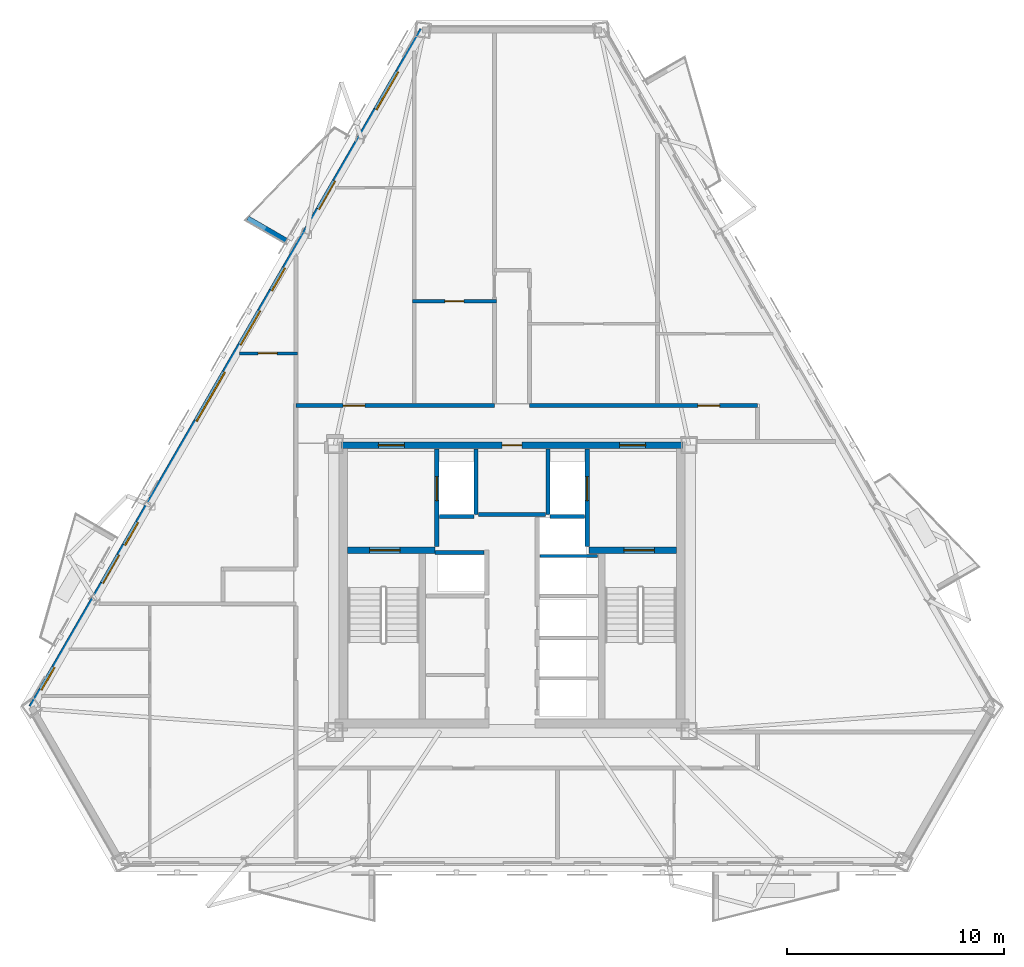
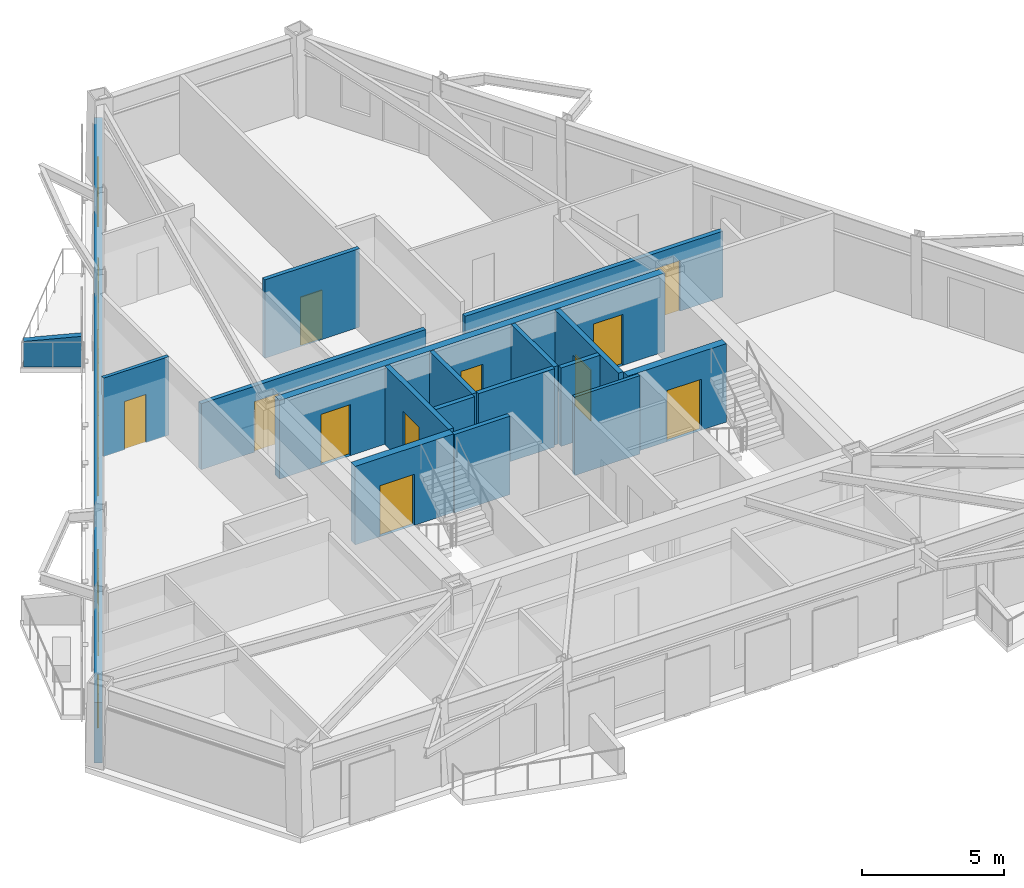
# One storey, part 4 of 9: 18 walls, 13 doors, 6 windows, 19 openings.
"""IFC4 building model written with IfcOpenShell, lengths in metres."""

from ifc_helpers import new_model, si_unit, direction, frame, frame_2d, origin, place, context, subcontext, project, spatial, polyline, rectangle, outline, extrude, material, layer, layer_set, type_object, element, fill, save


model = new_model("IFC4")

# Units and contexts
model_context = context("Model", 3, precision=1e-05, world=origin(), true_north=direction((0.0, 1.0)))
body_context = subcontext(model_context, "Body", "Model", "MODEL_VIEW")
ifc_project = project(units=[si_unit("LENGTHUNIT", "METRE"), si_unit("AREAUNIT", "SQUARE_METRE"), si_unit("VOLUMEUNIT", "CUBIC_METRE"), si_unit("PLANEANGLEUNIT", "RADIAN"), si_unit("MASSUNIT", "GRAM", prefix="KILO")], contexts=[model_context])

# Site, building, storey
site_placement = place(None, origin())
site = spatial("IfcSite", under=ifc_project, at=site_placement, CompositionType="ELEMENT")
building_placement = place(site_placement, origin())
building = spatial("IfcBuilding", under=site, at=building_placement, Name="Oramaril Tower", CompositionType="ELEMENT")
storey_placement = place(building_placement, frame((0.0, 0.0, 178.199951171875)))
storey = spatial("IfcBuildingStorey", under=building, at=storey_placement, Name="L47", CompositionType="ELEMENT", Elevation=178.199951171875)

# Wall, openings, doors, windows
ifc_material_1 = material(Name="Warm Cream Limestone", Category="masonry")
ifc_layer_1 = layer(ifc_material_1, 0.2900390625)
ifc_layer_set_1 = layer_set([ifc_layer_1], Name="WT-EXT29")
wall_type_1 = type_object("IfcWallType", Name="WT-EXT29", PredefinedType="SOLIDWALL", material=ifc_layer_set_1)
wall_1_placement = place(storey_placement, frame((33.383544921875, 43.256591796875, 0.0), z_axis=(0.0, 0.0, 1.0), x_axis=(-0.499997641637, -0.866026765382, 0.0)))
wall_1 = element("IfcWall", 1, at=wall_1_placement, inside=storey, type_object=wall_type_1, Name="L47 Tower Limestone Facade Wall 6M", PredefinedType="SOLIDWALL", context=body_context, shape_type="SweptSolid", body=[
    extrude(rectangle(XDim=35.991943359375, YDim=0.2900390625, at=frame_2d((17.99609375, 0.0))), origin(), (0.0, 0.0, 1.0), 2.60009765625),
])
opening_1_placement = place(wall_1_placement, frame((8.034423828125, 0.0, 0.0)))
opening_1 = element("IfcOpeningElement", 2, at=opening_1_placement, cuts=wall_1, Name="Opening D-L47-BAL-NW1", PredefinedType="OPENING", context=body_context, shape_type="SweptSolid", body=[
    extrude(rectangle(XDim=1.5, YDim=2.199951171875, at=frame_2d((0.75, 1.10009765625))), frame((0.0, 0.14501953125, 0.0), z_axis=(0.0, -1.0, 0.0), x_axis=(1.0, 0.0, 0.0)), (0.0, 0.0, 1.0), 0.2900390625),
])
opening_2_placement = place(wall_1_placement, frame((27.91259765625, 0.0, 0.0)))
opening_2 = element("IfcOpeningElement", 3, at=opening_2_placement, cuts=wall_1, Name="Opening D-L47-BAL-NW2", PredefinedType="OPENING", context=body_context, shape_type="SweptSolid", body=[
    extrude(rectangle(XDim=1.5, YDim=2.199951171875, at=frame_2d((0.75, 1.10009765625))), frame((0.0, 0.14501953125, 0.0), z_axis=(0.0, -1.0, 0.0), x_axis=(1.0, 0.0, 0.0)), (0.0, 0.0, 1.0), 0.2900390625),
])
opening_3_placement = place(wall_1_placement, frame((33.87451171875, 0.0, 0.85009765625)))
opening_3 = element("IfcOpeningElement", 4, at=opening_3_placement, cuts=wall_1, Name="Opening WN-09", PredefinedType="OPENING", context=body_context, shape_type="SweptSolid", body=[
    extrude(rectangle(XDim=1.199951171875, YDim=1.47998046875, at=frame_2d((0.60009765625, 0.739990234375))), frame((0.0, 0.14501953125, 0.0), z_axis=(0.0, -1.0, 0.0), x_axis=(1.0, 0.0, 0.0)), (0.0, 0.0, 1.0), 0.2900390625),
])
opening_4_placement = place(wall_1_placement, frame((18.19091796875, 0.0, 0.85009765625)))
opening_4 = element("IfcOpeningElement", 5, at=opening_4_placement, cuts=wall_1, Name="Opening WN-02", PredefinedType="OPENING", context=body_context, shape_type="SweptSolid", body=[
    extrude(rectangle(XDim=2.60009765625, YDim=1.639892578125, at=frame_2d((1.300048828125, 0.81982421875))), frame((0.0, 0.14501953125, 0.0), z_axis=(0.0, -1.0, 0.0), x_axis=(1.0, 0.0, 0.0)), (0.0, 0.0, 1.0), 0.2900390625),
])
opening_5_placement = place(wall_1_placement, frame((26.178466796875, 0.0, 0.85009765625)))
opening_5 = element("IfcOpeningElement", 6, at=opening_5_placement, cuts=wall_1, Name="Opening WN-09", PredefinedType="OPENING", context=body_context, shape_type="SweptSolid", body=[
    extrude(rectangle(XDim=1.199951171875, YDim=1.47998046875, at=frame_2d((0.60009765625, 0.739990234375))), frame((0.0, 0.14501953125, 0.0), z_axis=(0.0, -1.0, 0.0), x_axis=(1.0, 0.0, 0.0)), (0.0, 0.0, 1.0), 0.2900390625),
])
opening_6_placement = place(wall_1_placement, frame((12.6572265625, 0.0, 0.85009765625)))
opening_6 = element("IfcOpeningElement", 7, at=opening_6_placement, cuts=wall_1, Name="Opening WN-09", PredefinedType="OPENING", context=body_context, shape_type="SweptSolid", body=[
    extrude(rectangle(XDim=1.199951171875, YDim=1.47998046875, at=frame_2d((0.60009765625, 0.739990234375))), frame((0.0, 0.14501953125, 0.0), z_axis=(0.0, -1.0, 0.0), x_axis=(1.0, 0.0, 0.0)), (0.0, 0.0, 1.0), 0.2900390625),
])
opening_7_placement = place(wall_1_placement, frame((14.938720703125, 0.0, 0.85009765625)))
opening_7 = element("IfcOpeningElement", 8, at=opening_7_placement, cuts=wall_1, Name="Opening WN-06", PredefinedType="OPENING", context=body_context, shape_type="SweptSolid", body=[
    extrude(rectangle(XDim=1.800048828125, YDim=1.639892578125, at=frame_2d((0.89990234375, 0.81982421875))), frame((0.0, 0.14501953125, 0.0), z_axis=(0.0, -1.0, 0.0), x_axis=(1.0, 0.0, 0.0)), (0.0, 0.0, 1.0), 0.2900390625),
])
opening_8_placement = place(wall_1_placement, frame((2.236083984375, 0.0, 0.85009765625)))
opening_8 = element("IfcOpeningElement", 9, at=opening_8_placement, cuts=wall_1, Name="Opening WN-05", PredefinedType="OPENING", context=body_context, shape_type="SweptSolid", body=[
    extrude(rectangle(XDim=2.0, YDim=1.639892578125, at=frame_2d((1.0, 0.81982421875))), frame((0.0, 0.14501953125, 0.0), z_axis=(0.0, -1.0, 0.0), x_axis=(1.0, 0.0, 0.0)), (0.0, 0.0, 1.0), 0.2900390625),
])
ifc_material_2 = material(Name="Anodised Aluminium 6063-T6", Category="aluminium")
door_type_1 = type_object("IfcDoorType", Name="DT-BAL", OperationType="NOTDEFINED", PredefinedType="DOOR", material=ifc_material_2)
door_1_placement = place(opening_1_placement, origin())
door_1 = element("IfcDoor", 10, at=door_1_placement, inside=storey, type_object=door_type_1, Name="L47 Balcony Glazed Door L47-BAL-NW1", OperationType="SINGLE_SWING_RIGHT", OverallHeight=2.199951171875, OverallWidth=1.5, PredefinedType="DOOR", context=body_context, shape_type="SweptSolid", body=[
    extrude(rectangle(XDim=1.5, YDim=2.199951171875, at=frame_2d((0.75, 1.10009765625))), frame((0.0, 0.02490234375, 0.0), z_axis=(0.0, -1.0, 0.0), x_axis=(1.0, 0.0, 0.0)), (0.0, 0.0, 1.0), 0.050048828125),
])
fill(opening_1, door_1)
door_2_placement = place(opening_2_placement, origin())
door_2 = element("IfcDoor", 11, at=door_2_placement, inside=storey, type_object=door_type_1, Name="L47 Balcony Glazed Door L47-BAL-NW2", OperationType="SINGLE_SWING_LEFT", OverallHeight=2.199951171875, OverallWidth=1.5, PredefinedType="DOOR", context=body_context, shape_type="SweptSolid", body=[
    extrude(rectangle(XDim=1.5, YDim=2.199951171875, at=frame_2d((0.75, 1.10009765625))), frame((0.0, 0.02490234375, 0.0), z_axis=(0.0, -1.0, 0.0), x_axis=(1.0, 0.0, 0.0)), (0.0, 0.0, 1.0), 0.050048828125),
])
fill(opening_2, door_2)
ifc_material_3 = material(Name="Coastal Low-E Insulated Glass", Category="glass")
window_type_1 = type_object("IfcWindowType", Name="WNT-02", PartitioningType="SINGLE_PANEL", PredefinedType="WINDOW", material=ifc_material_3)
window_1_placement = place(opening_4_placement, origin())
window_1 = element("IfcWindow", 12, at=window_1_placement, inside=storey, type_object=window_type_1, Name="L47 Chicago Bay Window WN-02", OverallHeight=1.639892578125, OverallWidth=2.60009765625, PartitioningType="SINGLE_PANEL", PredefinedType="WINDOW", context=body_context, shape_type="SweptSolid", body=[
    extrude(rectangle(XDim=2.60009765625, YDim=1.639892578125, at=frame_2d((1.300048828125, 0.81982421875))), frame((0.0, 0.030029296875, 0.0), z_axis=(0.0, -1.0, 0.0), x_axis=(1.0, 0.0, 0.0)), (0.0, 0.0, 1.0), 0.06005859375),
])
fill(opening_4, window_1)
ifc_material_4 = material(Name="Coastal Low-E Insulated Glass", Category="glass")
window_type_2 = type_object("IfcWindowType", Name="WNT-05", PartitioningType="SINGLE_PANEL", PredefinedType="WINDOW", material=ifc_material_4)
window_2_placement = place(opening_8_placement, origin())
window_2 = element("IfcWindow", 13, at=window_2_placement, inside=storey, type_object=window_type_2, Name="L47 Chicago Bay Window WN-05", OverallHeight=1.639892578125, OverallWidth=2.0, PartitioningType="SINGLE_PANEL", PredefinedType="WINDOW", context=body_context, shape_type="SweptSolid", body=[
    extrude(rectangle(XDim=2.0, YDim=1.639892578125, at=frame_2d((1.0, 0.81982421875))), frame((0.0, 0.030029296875, 0.0), z_axis=(0.0, -1.0, 0.0), x_axis=(1.0, 0.0, 0.0)), (0.0, 0.0, 1.0), 0.06005859375),
])
fill(opening_8, window_2)
ifc_material_5 = material(Name="Coastal Low-E Insulated Glass", Category="glass")
window_type_3 = type_object("IfcWindowType", Name="WNT-06", PartitioningType="SINGLE_PANEL", PredefinedType="WINDOW", material=ifc_material_5)
window_3_placement = place(opening_7_placement, origin())
window_3 = element("IfcWindow", 14, at=window_3_placement, inside=storey, type_object=window_type_3, Name="L47 Chicago Bay Window WN-06", OverallHeight=1.639892578125, OverallWidth=1.800048828125, PartitioningType="SINGLE_PANEL", PredefinedType="WINDOW", context=body_context, shape_type="SweptSolid", body=[
    extrude(rectangle(XDim=1.800048828125, YDim=1.639892578125, at=frame_2d((0.89990234375, 0.81982421875))), frame((0.0, 0.030029296875, 0.0), z_axis=(0.0, -1.0, 0.0), x_axis=(1.0, 0.0, 0.0)), (0.0, 0.0, 1.0), 0.06005859375),
])
fill(opening_7, window_3)
ifc_material_6 = material(Name="Coastal Low-E Insulated Glass", Category="glass")
window_type_4 = type_object("IfcWindowType", Name="WNT-09", PartitioningType="SINGLE_PANEL", PredefinedType="WINDOW", material=ifc_material_6)
window_4_placement = place(opening_3_placement, origin())
window_4 = element("IfcWindow", 15, at=window_4_placement, inside=storey, type_object=window_type_4, Name="L47 Chicago Bay Window WN-09", OverallHeight=1.47998046875, OverallWidth=1.199951171875, PartitioningType="SINGLE_PANEL", PredefinedType="WINDOW", context=body_context, shape_type="SweptSolid", body=[
    extrude(rectangle(XDim=1.199951171875, YDim=1.47998046875, at=frame_2d((0.60009765625, 0.739990234375))), frame((0.0, 0.030029296875, 0.0), z_axis=(0.0, -1.0, 0.0), x_axis=(1.0, 0.0, 0.0)), (0.0, 0.0, 1.0), 0.06005859375),
])
fill(opening_3, window_4)
window_5_placement = place(opening_5_placement, origin())
window_5 = element("IfcWindow", 16, at=window_5_placement, inside=storey, type_object=window_type_4, Name="L47 Chicago Bay Window WN-09", OverallHeight=1.47998046875, OverallWidth=1.199951171875, PartitioningType="SINGLE_PANEL", PredefinedType="WINDOW", context=body_context, shape_type="SweptSolid", body=[
    extrude(rectangle(XDim=1.199951171875, YDim=1.47998046875, at=frame_2d((0.60009765625, 0.739990234375))), frame((0.0, 0.030029296875, 0.0), z_axis=(0.0, -1.0, 0.0), x_axis=(1.0, 0.0, 0.0)), (0.0, 0.0, 1.0), 0.06005859375),
])
fill(opening_5, window_5)
window_6_placement = place(opening_6_placement, origin())
window_6 = element("IfcWindow", 17, at=window_6_placement, inside=storey, type_object=window_type_4, Name="L47 Chicago Bay Window WN-09", OverallHeight=1.47998046875, OverallWidth=1.199951171875, PartitioningType="SINGLE_PANEL", PredefinedType="WINDOW", context=body_context, shape_type="SweptSolid", body=[
    extrude(rectangle(XDim=1.199951171875, YDim=1.47998046875, at=frame_2d((0.60009765625, 0.739990234375))), frame((0.0, 0.030029296875, 0.0), z_axis=(0.0, -1.0, 0.0), x_axis=(1.0, 0.0, 0.0)), (0.0, 0.0, 1.0), 0.06005859375),
])
fill(opening_6, window_6)

# Walls
ifc_material_7 = material(Name="Concrete C40/50", Category="concrete")
ifc_layer_2 = layer(ifc_material_7, 0.22998046875)
ifc_layer_set_2 = layer_set([ifc_layer_2], Name="WT-PRP23")
wall_type_2 = type_object("IfcWallType", Name="WT-PRP23", PredefinedType="PARAPET", material=ifc_layer_set_2)
wall_2_placement = place(storey_placement, frame((27.10107421875, 33.57080078125, 0.0), z_axis=(0.0, 0.0, 1.0), x_axis=(-0.866042246008, 0.499970827278, 0.0)))
element("IfcWall", 18, at=wall_2_placement, inside=storey, type_object=wall_type_2, Name="L47 Trapezoidal Balcony Frame Cheek L47-BAL-NW1-R", PredefinedType="PARAPET", context=body_context, shape_type="SweptSolid", body=[
    extrude(outline(polyline([(0.0, 0.0), (2.0419921875, 0.0), (2.0419921875, 1.10009765625), (0.0, 1.320068359375), (0.0, 0.0)])), frame((0.0, 0.114990234375, 0.0), z_axis=(0.0, -1.0, 0.0), x_axis=(1.0, 0.0, 0.0)), (0.0, 0.0, 1.0), 0.22998046875),
])
ifc_material_8 = material(Name="Acoustic Gypsum Board Partition")
ifc_layer_3 = layer(ifc_material_8, 0.139892578125)
ifc_layer_set_3 = layer_set([ifc_layer_3], Name="WT-PT14")
wall_type_3 = type_object("IfcWallType", Name="WT-PT14", PredefinedType="PARTITIONING", material=ifc_layer_set_3)
wall_3_placement = place(storey_placement, frame((38.780029296875, 19.050048828125, 0.0), z_axis=(0.0, 0.0, 1.0), x_axis=(1.0, 0.0, 0.0)))
element("IfcWall", 19, at=wall_3_placement, inside=storey, type_object=wall_type_3, Name="L47 East Lift Divider", PredefinedType="PARTITIONING", context=body_context, shape_type="SweptSolid", body=[
    extrude(rectangle(XDim=2.659912109375, YDim=0.139892578125, at=frame_2d((1.330078125, 0.0))), origin(), (0.0, 0.0, 1.0), 3.380126953125),
])

# Wall, opening, door
wall_4_placement = place(storey_placement, frame((24.9609375, 28.3701171875, 0.0), z_axis=(0.0, 0.0, 1.0), x_axis=(1.0, 0.0, 0.0)))
wall_4 = element("IfcWall", 20, at=wall_4_placement, inside=storey, type_object=wall_type_3, Name="L47 Interior Partition PT-14", PredefinedType="PARTITIONING", context=body_context, shape_type="SweptSolid", body=[
    extrude(rectangle(XDim=2.671142578125, YDim=0.139892578125, at=frame_2d((1.33544921875, 0.0))), origin(), (0.0, 0.0, 1.0), 3.380126953125),
])
opening_9_placement = place(wall_4_placement, frame((0.85498046875, 0.0, 0.0)))
opening_9 = element("IfcOpeningElement", 21, at=opening_9_placement, cuts=wall_4, Name="Opening D-L47-05", PredefinedType="OPENING", context=body_context, shape_type="SweptSolid", body=[
    extrude(rectangle(XDim=0.8798828125, YDim=2.080078125, at=frame_2d((0.43994140625, 1.0400390625))), frame((0.0, 0.06982421875, 0.0), z_axis=(0.0, -1.0, 0.0), x_axis=(1.0, 0.0, 0.0)), (0.0, 0.0, 1.0), 0.139892578125),
])
ifc_material_9 = material(Name="FSC Brazilian Freijo Hardwood", Category="wood")
door_type_2 = type_object("IfcDoorType", Name="DT-BATH", OperationType="NOTDEFINED", PredefinedType="DOOR", material=ifc_material_9)
door_3_placement = place(opening_9_placement, origin())
door_3 = element("IfcDoor", 22, at=door_3_placement, inside=storey, type_object=door_type_2, Name="L47 Flat L47-U4 Bathroom Door D-L47-05", OperationType="SINGLE_SWING_RIGHT", OverallHeight=2.080078125, OverallWidth=0.8798828125, PredefinedType="DOOR", context=body_context, shape_type="SweptSolid", body=[
    extrude(rectangle(XDim=0.8798828125, YDim=2.080078125, at=frame_2d((0.43994140625, 1.0400390625))), frame((0.0, 0.02490234375, 0.0), z_axis=(0.0, -1.0, 0.0), x_axis=(1.0, 0.0, 0.0)), (0.0, 0.0, 1.0), 0.050048828125),
])
fill(opening_9, door_3)

ifc_material_10 = material(Name="Acoustic Gypsum Board Partition")
ifc_layer_4 = layer(ifc_material_10, 0.159912109375)
ifc_layer_set_4 = layer_set([ifc_layer_4], Name="WT-PT16")
wall_type_4 = type_object("IfcWallType", Name="WT-PT16", PredefinedType="PARTITIONING", material=ifc_layer_set_4)
wall_5_placement = place(storey_placement, frame((32.91796875, 30.77001953125, 0.0), z_axis=(0.0, 0.0, 1.0), x_axis=(1.0, 0.0, 0.0)))
wall_5 = element("IfcWall", 23, at=wall_5_placement, inside=storey, type_object=wall_type_4, Name="L47 Interior Partition PT-16", PredefinedType="PARTITIONING", context=body_context, shape_type="SweptSolid", body=[
    extrude(rectangle(XDim=3.864013671875, YDim=0.159912109375, at=frame_2d((1.93212890625, 0.0))), origin(), (0.0, 0.0, 1.0), 3.380126953125),
])
opening_10_placement = place(wall_5_placement, frame((1.491943359375, 0.0, 0.0)))
opening_10 = element("IfcOpeningElement", 24, at=opening_10_placement, cuts=wall_5, Name="Opening D-L47-08", PredefinedType="OPENING", context=body_context, shape_type="SweptSolid", body=[
    extrude(rectangle(XDim=0.8798828125, YDim=2.080078125, at=frame_2d((0.43994140625, 1.0400390625))), frame((0.0, 0.080078125, 0.0), z_axis=(0.0, -1.0, 0.0), x_axis=(1.0, 0.0, 0.0)), (0.0, 0.0, 1.0), 0.159912109375),
])
door_4_placement = place(opening_10_placement, origin())
door_4 = element("IfcDoor", 25, at=door_4_placement, inside=storey, type_object=door_type_2, Name="L47 Flat L47-U7 Bathroom Door D-L47-08", OperationType="SINGLE_SWING_LEFT", OverallHeight=2.080078125, OverallWidth=0.8798828125, PredefinedType="DOOR", context=body_context, shape_type="SweptSolid", body=[
    extrude(rectangle(XDim=0.8798828125, YDim=2.080078125, at=frame_2d((0.43994140625, 1.0400390625))), frame((0.0, 0.02490234375, 0.0), z_axis=(0.0, -1.0, 0.0), x_axis=(1.0, 0.0, 0.0)), (0.0, 0.0, 1.0), 0.050048828125),
])
fill(opening_10, door_4)

# Walls
ifc_material_11 = material(Name="Autoclaved Cellular Concrete Block", Category="concrete")
ifc_layer_5 = layer(ifc_material_11, 0.179931640625)
ifc_layer_set_5 = layer_set([ifc_layer_5], Name="WT-PT18")
wall_type_5 = type_object("IfcWallType", Name="WT-PT18", PredefinedType="PARTITIONING", material=ifc_layer_set_5)
wall_6_placement = place(storey_placement, frame((35.840087890625, 20.9599609375, 0.0), z_axis=(0.0, 0.0, 1.0), x_axis=(0.0, 1.0, 0.0)))
element("IfcWall", 26, at=wall_6_placement, inside=storey, type_object=wall_type_5, Name="L47 FL-1 East Shaft Wall", PredefinedType="PARTITIONING", context=body_context, shape_type="SweptSolid", body=[
    extrude(rectangle(XDim=3.02001953125, YDim=0.179931640625, at=frame_2d((1.510009765625, 0.0))), origin(), (0.0, 0.0, 1.0), 3.380126953125),
])
wall_7_placement = place(storey_placement, frame((34.159912109375, 20.860107421875, 0.0), z_axis=(0.0, 0.0, 1.0), x_axis=(1.0, 0.0, 0.0)))
element("IfcWall", 27, at=wall_7_placement, inside=storey, type_object=wall_type_5, Name="L47 FL-1 South Shaft Wall", PredefinedType="PARTITIONING", context=body_context, shape_type="SweptSolid", body=[
    extrude(rectangle(XDim=1.580078125, YDim=0.179931640625, at=frame_2d((0.7900390625, 0.0))), origin(), (0.0, 0.0, 1.0), 3.380126953125),
])
wall_8_placement = place(storey_placement, frame((39.159912109375, 20.9599609375, 0.0), z_axis=(0.0, 0.0, 1.0), x_axis=(0.0, 1.0, 0.0)))
element("IfcWall", 28, at=wall_8_placement, inside=storey, type_object=wall_type_5, Name="L47 FL-2 West Shaft Wall", PredefinedType="PARTITIONING", context=body_context, shape_type="SweptSolid", body=[
    extrude(rectangle(XDim=3.02001953125, YDim=0.179931640625, at=frame_2d((1.510009765625, 0.0))), origin(), (0.0, 0.0, 1.0), 3.380126953125),
])
wall_9_placement = place(storey_placement, frame((39.260009765625, 20.860107421875, 0.0), z_axis=(0.0, 0.0, 1.0), x_axis=(1.0, 0.0, 0.0)))
element("IfcWall", 29, at=wall_9_placement, inside=storey, type_object=wall_type_5, Name="L47 FL-2 South Shaft Wall", PredefinedType="PARTITIONING", context=body_context, shape_type="SweptSolid", body=[
    extrude(rectangle(XDim=1.580078125, YDim=0.179931640625, at=frame_2d((0.7900390625, 0.0))), origin(), (0.0, 0.0, 1.0), 3.380126953125),
])
wall_10_placement = place(storey_placement, frame((33.949951171875, 19.199951171875, 0.0), z_axis=(0.0, 0.0, 1.0), x_axis=(1.0, 0.0, 0.0)))
element("IfcWall", 30, at=wall_10_placement, inside=storey, type_object=wall_type_5, Name="L47 High-Rise Lift H1 North Shaft Wall", PredefinedType="PARTITIONING", context=body_context, shape_type="SweptSolid", body=[
    extrude(rectangle(XDim=2.27001953125, YDim=0.179931640625, at=frame_2d((1.135009765625, 0.0))), origin(), (0.0, 0.0, 1.0), 3.380126953125),
])
wall_11_placement = place(storey_placement, frame((35.949951171875, 20.949951171875, 0.0), z_axis=(0.0, 0.0, 1.0), x_axis=(1.0, 0.0, 0.0)))
element("IfcWall", 31, at=wall_11_placement, inside=storey, type_object=wall_type_5, Name="L47 Lift Lobby North Partition", PredefinedType="PARTITIONING", context=body_context, shape_type="SweptSolid", body=[
    extrude(rectangle(XDim=3.10009765625, YDim=0.179931640625, at=frame_2d((1.550048828125, 0.0))), origin(), (0.0, 0.0, 1.0), 3.380126953125),
])

# Wall, opening, door
wall_12_placement = place(storey_placement, frame((27.550048828125, 25.969970703125, 0.0), z_axis=(0.0, 0.0, 1.0), x_axis=(1.0, 0.0, 0.0)))
wall_12 = element("IfcWall", 32, at=wall_12_placement, inside=storey, type_object=wall_type_5, Name="L47 Interior Partition PT-18", PredefinedType="PARTITIONING", context=body_context, shape_type="SweptSolid", body=[
    extrude(rectangle(XDim=9.14990234375, YDim=0.179931640625, at=frame_2d((4.574951171875, 0.0))), origin(), (0.0, 0.0, 1.0), 2.842041015625),
])
opening_11_placement = place(wall_12_placement, frame((2.17333984375, 0.0, 0.0)))
opening_11 = element("IfcOpeningElement", 33, at=opening_11_placement, cuts=wall_12, Name="Opening D-L47-03", PredefinedType="OPENING", context=body_context, shape_type="SweptSolid", body=[
    extrude(rectangle(XDim=1.0, YDim=2.179931640625, at=frame_2d((0.5, 1.08984375))), frame((0.0, 0.08984375, 0.0), z_axis=(0.0, -1.0, 0.0), x_axis=(1.0, 0.0, 0.0)), (0.0, 0.0, 1.0), 0.179931640625),
])
ifc_material_12 = material(Name="FSC Brazilian Freijo Hardwood", Category="wood")
door_type_3 = type_object("IfcDoorType", Name="DT-APT", OperationType="NOTDEFINED", PredefinedType="DOOR", material=ifc_material_12)
door_5_placement = place(opening_11_placement, origin())
door_5 = element("IfcDoor", 34, at=door_5_placement, inside=storey, type_object=door_type_3, Name="L47 Flat L47-U6 Kitchen and Studio Apartment Door D-L47-03", OperationType="SINGLE_SWING_RIGHT", OverallHeight=2.179931640625, OverallWidth=1.0, PredefinedType="DOOR", context=body_context, shape_type="SweptSolid", body=[
    extrude(rectangle(XDim=1.0, YDim=2.179931640625, at=frame_2d((0.5, 1.08984375))), frame((0.0, 0.02490234375, 0.0), z_axis=(0.0, -1.0, 0.0), x_axis=(1.0, 0.0, 0.0)), (0.0, 0.0, 1.0), 0.050048828125),
])
fill(opening_11, door_5)

wall_13_placement = place(storey_placement, frame((38.300048828125, 25.969970703125, 0.0), z_axis=(0.0, 0.0, 1.0), x_axis=(1.0, 0.0, 0.0)))
wall_13 = element("IfcWall", 35, at=wall_13_placement, inside=storey, type_object=wall_type_5, Name="L47 Interior Partition PT-18", PredefinedType="PARTITIONING", context=body_context, shape_type="SweptSolid", body=[
    extrude(rectangle(XDim=10.5, YDim=0.179931640625, at=frame_2d((5.25, 0.0))), origin(), (0.0, 0.0, 1.0), 2.842041015625),
])
opening_12_placement = place(wall_13_placement, frame((7.752197265625, 0.0, 0.0)))
opening_12 = element("IfcOpeningElement", 36, at=opening_12_placement, cuts=wall_13, Name="Opening D-L47-04", PredefinedType="OPENING", context=body_context, shape_type="SweptSolid", body=[
    extrude(rectangle(XDim=1.0, YDim=2.179931640625, at=frame_2d((0.5, 1.08984375))), frame((0.0, 0.08984375, 0.0), z_axis=(0.0, -1.0, 0.0), x_axis=(1.0, 0.0, 0.0)), (0.0, 0.0, 1.0), 0.179931640625),
])
door_6_placement = place(opening_12_placement, origin())
door_6 = element("IfcDoor", 37, at=door_6_placement, inside=storey, type_object=door_type_3, Name="L47 Flat L47-U9 Kitchen and Studio Apartment Door D-L47-04", OperationType="SINGLE_SWING_LEFT", OverallHeight=2.179931640625, OverallWidth=1.0, PredefinedType="DOOR", context=body_context, shape_type="SweptSolid", body=[
    extrude(rectangle(XDim=1.0, YDim=2.179931640625, at=frame_2d((0.5, 1.08984375))), frame((0.0, 0.02490234375, 0.0), z_axis=(0.0, -1.0, 0.0), x_axis=(1.0, 0.0, 0.0)), (0.0, 0.0, 1.0), 0.050048828125),
])
fill(opening_12, door_6)

# Wall, openings, doors
ifc_material_13 = material(Name="Concrete C50/60", Category="concrete")
ifc_layer_6 = layer(ifc_material_13, 0.300048828125)
ifc_layer_set_6 = layer_set([ifc_layer_6], Name="WT-SH30")
wall_type_6 = type_object("IfcWallType", Name="WT-SH30", PredefinedType="SHEAR", material=ifc_layer_set_6)
wall_14_placement = place(storey_placement, frame((29.64990234375, 24.14990234375, 0.0), z_axis=(0.0, 0.0, 1.0), x_axis=(1.0, 0.0, 0.0)))
wall_14 = element("IfcWall", 38, at=wall_14_placement, inside=storey, type_object=wall_type_6, Name="L47 Core Shear Wall CW-N", PredefinedType="SHEAR", context=body_context, shape_type="SweptSolid", body=[
    extrude(rectangle(XDim=15.7001953125, YDim=0.300048828125, at=frame_2d((7.85009765625, 0.0))), origin(), (0.0, 0.0, 1.0), 3.380126953125),
])
opening_13_placement = place(wall_14_placement, frame((1.699951171875, 0.0, 0.0)))
opening_13 = element("IfcOpeningElement", 39, at=opening_13_placement, cuts=wall_14, Name="Opening D-L47-FFL1", PredefinedType="OPENING", context=body_context, shape_type="SweptSolid", body=[
    extrude(rectangle(XDim=1.199951171875, YDim=2.199951171875, at=frame_2d((0.60009765625, 1.10009765625))), frame((0.0, 0.14990234375, 0.0), z_axis=(0.0, -1.0, 0.0), x_axis=(1.0, 0.0, 0.0)), (0.0, 0.0, 1.0), 0.300048828125),
])
opening_14_placement = place(wall_14_placement, frame((12.800048828125, 0.0, 0.0)))
opening_14 = element("IfcOpeningElement", 40, at=opening_14_placement, cuts=wall_14, Name="Opening D-L47-FFL2", PredefinedType="OPENING", context=body_context, shape_type="SweptSolid", body=[
    extrude(rectangle(XDim=1.199951171875, YDim=2.199951171875, at=frame_2d((0.60009765625, 1.10009765625))), frame((0.0, 0.14990234375, 0.0), z_axis=(0.0, -1.0, 0.0), x_axis=(1.0, 0.0, 0.0)), (0.0, 0.0, 1.0), 0.300048828125),
])
opening_15_placement = place(wall_14_placement, frame((7.39990234375, 0.0, 0.0)))
opening_15 = element("IfcOpeningElement", 41, at=opening_15_placement, cuts=wall_14, Name="Opening D-L47-SV1", PredefinedType="OPENING", context=body_context, shape_type="SweptSolid", body=[
    extrude(rectangle(XDim=0.89990234375, YDim=2.050048828125, at=frame_2d((0.449951171875, 1.02490234375))), frame((0.0, 0.14990234375, 0.0), z_axis=(0.0, -1.0, 0.0), x_axis=(1.0, 0.0, 0.0)), (0.0, 0.0, 1.0), 0.300048828125),
])
ifc_material_14 = material(Name="Painted Galvanised Steel", Category="steel")
door_type_4 = type_object("IfcDoorType", Name="DT-FFL", OperationType="NOTDEFINED", PredefinedType="DOOR", material=ifc_material_14)
door_7_placement = place(opening_13_placement, origin())
door_7 = element("IfcDoor", 42, at=door_7_placement, inside=storey, type_object=door_type_4, Name="L47 Firefighting Lobby 1 Fire Door", OperationType="SINGLE_SWING_LEFT", OverallHeight=2.199951171875, OverallWidth=1.199951171875, PredefinedType="DOOR", context=body_context, shape_type="SweptSolid", body=[
    extrude(rectangle(XDim=1.199951171875, YDim=2.199951171875, at=frame_2d((0.60009765625, 1.10009765625))), frame((0.0, 0.02490234375, 0.0), z_axis=(0.0, -1.0, 0.0), x_axis=(1.0, 0.0, 0.0)), (0.0, 0.0, 1.0), 0.050048828125),
])
fill(opening_13, door_7)
door_8_placement = place(opening_14_placement, origin())
door_8 = element("IfcDoor", 43, at=door_8_placement, inside=storey, type_object=door_type_4, Name="L47 Firefighting Lobby 2 Fire Door", OperationType="SINGLE_SWING_RIGHT", OverallHeight=2.199951171875, OverallWidth=1.199951171875, PredefinedType="DOOR", context=body_context, shape_type="SweptSolid", body=[
    extrude(rectangle(XDim=1.199951171875, YDim=2.199951171875, at=frame_2d((0.60009765625, 1.10009765625))), frame((0.0, 0.02490234375, 0.0), z_axis=(0.0, -1.0, 0.0), x_axis=(1.0, 0.0, 0.0)), (0.0, 0.0, 1.0), 0.050048828125),
])
fill(opening_14, door_8)
ifc_material_15 = material(Name="Painted Galvanised Steel", Category="steel")
door_type_5 = type_object("IfcDoorType", Name="DT-SVC", OperationType="NOTDEFINED", PredefinedType="DOOR", material=ifc_material_15)
door_9_placement = place(opening_15_placement, origin())
door_9 = element("IfcDoor", 44, at=door_9_placement, inside=storey, type_object=door_type_5, Name="L47 Core Janitor Store Door", OperationType="SINGLE_SWING_LEFT", OverallHeight=2.050048828125, OverallWidth=0.89990234375, PredefinedType="DOOR", context=body_context, shape_type="SweptSolid", body=[
    extrude(rectangle(XDim=0.89990234375, YDim=2.050048828125, at=frame_2d((0.449951171875, 1.02490234375))), frame((0.0, 0.02490234375, 0.0), z_axis=(0.0, -1.0, 0.0), x_axis=(1.0, 0.0, 0.0)), (0.0, 0.0, 1.0), 0.050048828125),
])
fill(opening_15, door_9)

# Wall, opening, door
wall_15_placement = place(storey_placement, frame((29.93994140625, 19.31005859375, 0.0), z_axis=(0.0, 0.0, 1.0), x_axis=(1.0, 0.0, 0.0)))
wall_15 = element("IfcWall", 45, at=wall_15_placement, inside=storey, type_object=wall_type_6, Name="L47 Core Shear Wall CW-ST1N", PredefinedType="SHEAR", context=body_context, shape_type="SweptSolid", body=[
    extrude(rectangle(XDim=4.010009765625, YDim=0.300048828125, at=frame_2d((2.0048828125, 0.0))), origin(), (0.0, 0.0, 1.0), 3.380126953125),
])
opening_16_placement = place(wall_15_placement, frame((1.010009765625, 0.0, 0.0)))
opening_16 = element("IfcOpeningElement", 46, at=opening_16_placement, cuts=wall_15, Name="Opening D-L47-ST1", PredefinedType="OPENING", context=body_context, shape_type="SweptSolid", body=[
    extrude(rectangle(XDim=1.39990234375, YDim=2.199951171875, at=frame_2d((0.699951171875, 1.10009765625))), frame((0.0, 0.14990234375, 0.0), z_axis=(0.0, -1.0, 0.0), x_axis=(1.0, 0.0, 0.0)), (0.0, 0.0, 1.0), 0.300048828125),
])
ifc_material_16 = material(Name="Painted Galvanised Steel", Category="steel")
door_type_6 = type_object("IfcDoorType", Name="DT-ST", OperationType="NOTDEFINED", PredefinedType="DOOR", material=ifc_material_16)
door_10_placement = place(opening_16_placement, origin())
door_10 = element("IfcDoor", 47, at=door_10_placement, inside=storey, type_object=door_type_6, Name="L47 Protected Stair ST-1 Fire Door", OperationType="SINGLE_SWING_LEFT", OverallHeight=2.199951171875, OverallWidth=1.39990234375, PredefinedType="DOOR", context=body_context, shape_type="SweptSolid", body=[
    extrude(rectangle(XDim=1.39990234375, YDim=2.199951171875, at=frame_2d((0.699951171875, 1.10009765625))), frame((0.0, 0.02490234375, 0.0), z_axis=(0.0, -1.0, 0.0), x_axis=(1.0, 0.0, 0.0)), (0.0, 0.0, 1.0), 0.050048828125),
])
fill(opening_16, door_10)

wall_16_placement = place(storey_placement, frame((41.050048828125, 19.31005859375, 0.0), z_axis=(0.0, 0.0, 1.0), x_axis=(1.0, 0.0, 0.0)))
wall_16 = element("IfcWall", 48, at=wall_16_placement, inside=storey, type_object=wall_type_6, Name="L47 Core Shear Wall CW-ST2N", PredefinedType="SHEAR", context=body_context, shape_type="SweptSolid", body=[
    extrude(rectangle(XDim=4.010009765625, YDim=0.300048828125, at=frame_2d((2.0048828125, 0.0))), origin(), (0.0, 0.0, 1.0), 3.380126953125),
])
opening_17_placement = place(wall_16_placement, frame((1.60009765625, 0.0, 0.0)))
opening_17 = element("IfcOpeningElement", 49, at=opening_17_placement, cuts=wall_16, Name="Opening D-L47-ST2", PredefinedType="OPENING", context=body_context, shape_type="SweptSolid", body=[
    extrude(rectangle(XDim=1.39990234375, YDim=2.199951171875, at=frame_2d((0.699951171875, 1.10009765625))), frame((0.0, 0.14990234375, 0.0), z_axis=(0.0, -1.0, 0.0), x_axis=(1.0, 0.0, 0.0)), (0.0, 0.0, 1.0), 0.300048828125),
])
door_11_placement = place(opening_17_placement, origin())
door_11 = element("IfcDoor", 50, at=door_11_placement, inside=storey, type_object=door_type_6, Name="L47 Protected Stair ST-2 Fire Door", OperationType="SINGLE_SWING_RIGHT", OverallHeight=2.199951171875, OverallWidth=1.39990234375, PredefinedType="DOOR", context=body_context, shape_type="SweptSolid", body=[
    extrude(rectangle(XDim=1.39990234375, YDim=2.199951171875, at=frame_2d((0.699951171875, 1.10009765625))), frame((0.0, 0.02490234375, 0.0), z_axis=(0.0, -1.0, 0.0), x_axis=(1.0, 0.0, 0.0)), (0.0, 0.0, 1.0), 0.050048828125),
])
fill(opening_17, door_11)

ifc_material_17 = material(Name="Autoclaved Cellular Concrete Block", Category="concrete")
ifc_layer_7 = layer(ifc_material_17, 0.199951171875)
ifc_layer_set_7 = layer_set([ifc_layer_7], Name="WT-SHF20")
wall_type_7 = type_object("IfcWallType", Name="WT-SHF20", PredefinedType="PARTITIONING", material=ifc_layer_set_7)
wall_17_placement = place(storey_placement, frame((34.0400390625, 19.47998046875, 0.0), z_axis=(0.0, 0.0, 1.0), x_axis=(0.0, 1.0, 0.0)))
wall_17 = element("IfcWall", 51, at=wall_17_placement, inside=storey, type_object=wall_type_7, Name="L47 FL-1 Lobby Shaft Wall", PredefinedType="PARTITIONING", context=body_context, shape_type="SweptSolid", body=[
    extrude(rectangle(XDim=4.5, YDim=0.199951171875, at=frame_2d((2.25, 0.0))), origin(), (0.0, 0.0, 1.0), 3.380126953125),
])
opening_18_placement = place(wall_17_placement, frame((2.1201171875, 0.0, 0.0)))
opening_18 = element("IfcOpeningElement", 52, at=opening_18_placement, cuts=wall_17, Name="Opening LD-L47-FL-1", PredefinedType="OPENING", context=body_context, shape_type="SweptSolid", body=[
    extrude(rectangle(XDim=1.10009765625, YDim=2.199951171875, at=frame_2d((0.550048828125, 1.10009765625))), frame((0.0, 0.10009765625, 0.0), z_axis=(0.0, -1.0, 0.0), x_axis=(1.0, 0.0, 0.0)), (0.0, 0.0, 1.0), 0.199951171875),
])
ifc_material_18 = material(Name="Stainless Steel 316L", Category="steel")
door_type_7 = type_object("IfcDoorType", Name="DT-LD1", OperationType="NOTDEFINED", PredefinedType="DOOR", material=ifc_material_18)
door_12_placement = place(opening_18_placement, origin())
door_12 = element("IfcDoor", 53, at=door_12_placement, inside=storey, type_object=door_type_7, Name="L47 Lift FL-1 Sliding Landing Door", OperationType="SLIDING_TO_LEFT", OverallHeight=2.199951171875, OverallWidth=1.10009765625, PredefinedType="DOOR", context=body_context, shape_type="SweptSolid", body=[
    extrude(rectangle(XDim=1.10009765625, YDim=2.199951171875, at=frame_2d((0.550048828125, 1.10009765625))), frame((0.0, 0.02490234375, 0.0), z_axis=(0.0, -1.0, 0.0), x_axis=(1.0, 0.0, 0.0)), (0.0, 0.0, 1.0), 0.050048828125),
])
fill(opening_18, door_12)

wall_18_placement = place(storey_placement, frame((40.9599609375, 19.47998046875, 0.0), z_axis=(0.0, 0.0, 1.0), x_axis=(0.0, 1.0, 0.0)))
wall_18 = element("IfcWall", 54, at=wall_18_placement, inside=storey, type_object=wall_type_7, Name="L47 FL-2 Lobby Shaft Wall", PredefinedType="PARTITIONING", context=body_context, shape_type="SweptSolid", body=[
    extrude(rectangle(XDim=4.5, YDim=0.199951171875, at=frame_2d((2.25, 0.0))), origin(), (0.0, 0.0, 1.0), 3.380126953125),
])
opening_19_placement = place(wall_18_placement, frame((2.1201171875, 0.0, 0.0)))
opening_19 = element("IfcOpeningElement", 55, at=opening_19_placement, cuts=wall_18, Name="Opening LD-L47-FL-2", PredefinedType="OPENING", context=body_context, shape_type="SweptSolid", body=[
    extrude(rectangle(XDim=1.10009765625, YDim=2.199951171875, at=frame_2d((0.550048828125, 1.10009765625))), frame((0.0, 0.10009765625, 0.0), z_axis=(0.0, -1.0, 0.0), x_axis=(1.0, 0.0, 0.0)), (0.0, 0.0, 1.0), 0.199951171875),
])
door_13_placement = place(opening_19_placement, origin())
door_13 = element("IfcDoor", 56, at=door_13_placement, inside=storey, type_object=door_type_7, Name="L47 Lift FL-2 Sliding Landing Door", OperationType="SLIDING_TO_RIGHT", OverallHeight=2.199951171875, OverallWidth=1.10009765625, PredefinedType="DOOR", context=body_context, shape_type="SweptSolid", body=[
    extrude(rectangle(XDim=1.10009765625, YDim=2.199951171875, at=frame_2d((0.550048828125, 1.10009765625))), frame((0.0, 0.02490234375, 0.0), z_axis=(0.0, -1.0, 0.0), x_axis=(1.0, 0.0, 0.0)), (0.0, 0.0, 1.0), 0.050048828125),
])
fill(opening_19, door_13)

save(model, "model.ifc")
